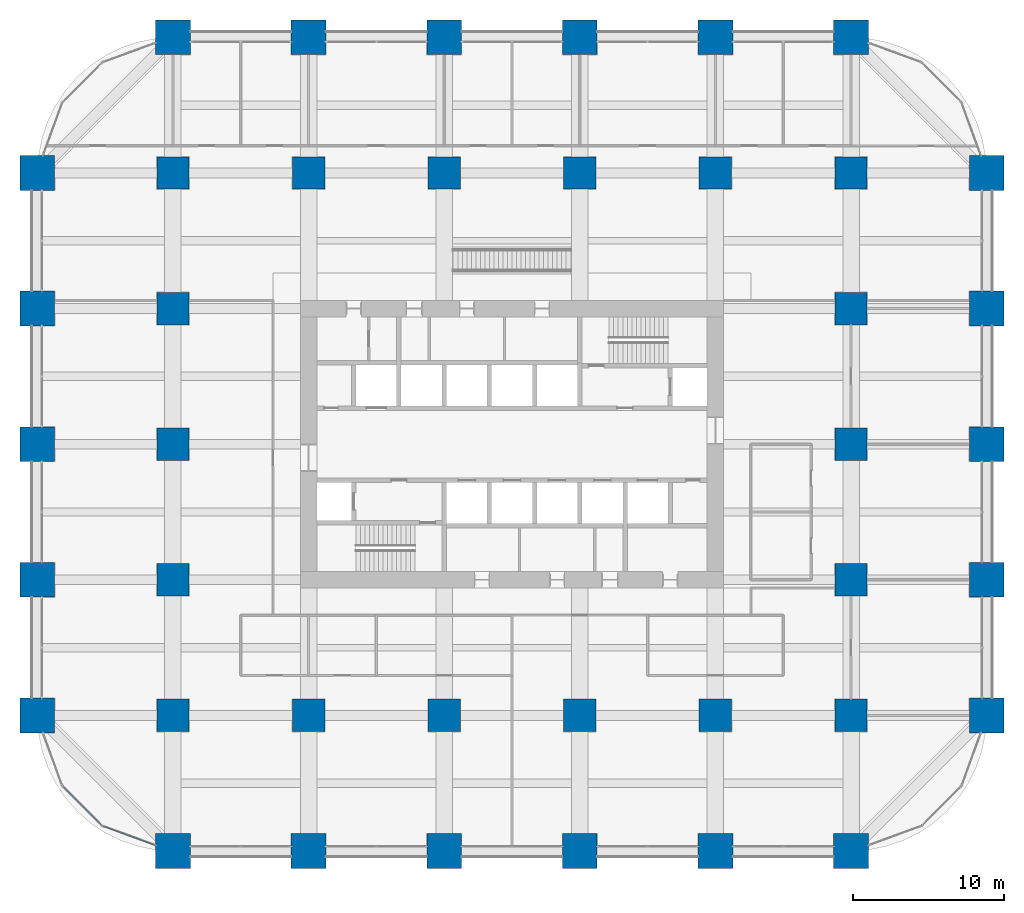
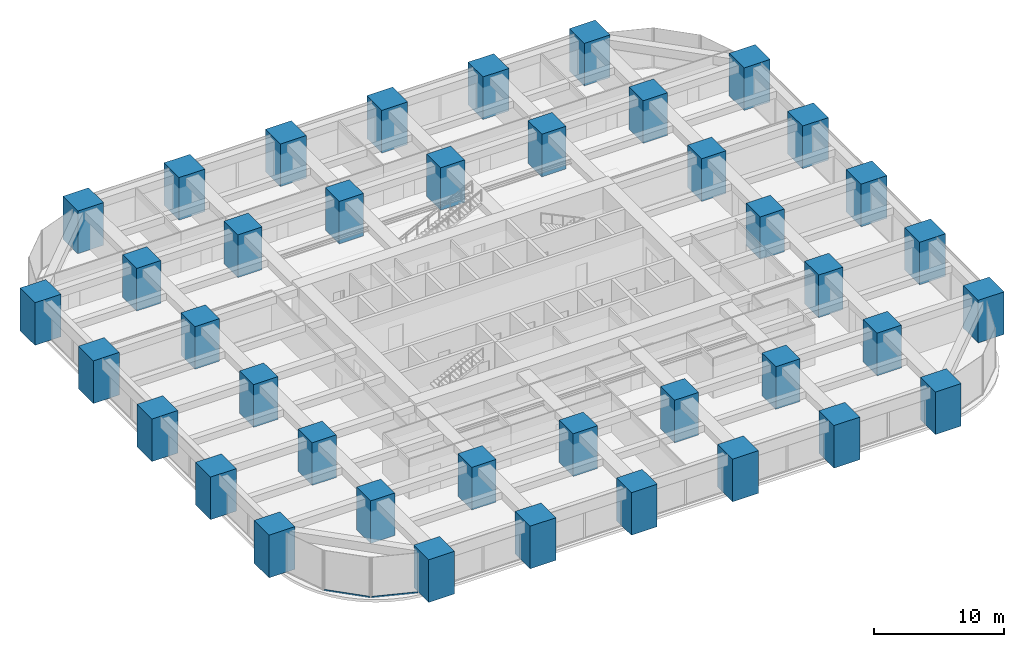
# One storey, part 1 of 44: 40 columns, 2 members, 2 elements without a shape of their own.
"""IFC4 building model written with IfcOpenShell, lengths in metres."""

from ifc_helpers import new_model, si_unit, direction, frame, origin, origin_2d, place, context, subcontext, project, spatial, rectangle, hollow_rectangle, extrude, material, material_profile, profile_set, type_object, element, aggregate, save


model = new_model("IFC4")

# Units and contexts
model_context = context("Model", 3, precision=1e-05, world=origin(), true_north=direction((0.0, 1.0)))
body_context = subcontext(model_context, "Body", "Model", "MODEL_VIEW")
ifc_project = project(units=[si_unit("LENGTHUNIT", "METRE"), si_unit("AREAUNIT", "SQUARE_METRE"), si_unit("VOLUMEUNIT", "CUBIC_METRE"), si_unit("PLANEANGLEUNIT", "RADIAN"), si_unit("MASSUNIT", "GRAM", prefix="KILO")], contexts=[model_context])

# Site, building, storey
site_placement = place(None, origin())
site = spatial("IfcSite", under=ifc_project, at=site_placement, CompositionType="ELEMENT")
building_placement = place(site_placement, origin())
building = spatial("IfcBuilding", under=site, at=building_placement, Name="Zorevar Civic Tower", CompositionType="ELEMENT")
storey_placement = place(building_placement, frame((0.0, 0.0, 59.800048828125)))
storey = spatial("IfcBuildingStorey", under=building, at=storey_placement, Name="L14", CompositionType="ELEMENT", Elevation=59.800048828125)

# Columns
ifc_material_1 = material(Name="Concrete C50/60", Category="concrete")
ifc_material_profile_1 = material_profile(ifc_material_1, rectangle(XDim=2.14990234375, YDim=2.14990234375, at=origin_2d()), Name="RC 2150x2150")
ifc_profile_set_1 = profile_set([ifc_material_profile_1], Name="Concrete C50/60")
column_type_1 = type_object("IfcColumnType", Name="Column RC 2150x2150", PredefinedType="COLUMN", material=ifc_profile_set_1)
for number, where, z_axis, x_axis, name in (
    (1, (9.0, 9.0, 0.0), (0.0, 0.0, 1.0), (1.0, 0.0, 0.0), "Column 3B L14"),
    (2, (9.0, 18.0, 0.0), (0.0, 0.0, 1.0), (1.0, 0.0, 0.0), "Column 3C L14"),
    (3, (9.0, 27.0, 0.0), (0.0, 0.0, 1.0), (1.0, 0.0, 0.0), "Column 3D L14"),
    (4, (9.0, 36.0, 0.0), (0.0, 0.0, 1.0), (1.0, 0.0, 0.0), "Column 3E L14"),
    (5, (9.0, 45.0, 0.0), (0.0, 0.0, 1.0), (1.0, 0.0, 0.0), "Column 3F L14"),
    (6, (18.0, 9.0, 0.0), (0.0, 0.0, 1.0), (1.0, 0.0, 0.0), "Column 4B L14"),
    (7, (18.0, 45.0, 0.0), (0.0, 0.0, 1.0), (1.0, 0.0, 0.0), "Column 4F L14"),
    (8, (27.0, 9.0, 0.0), (0.0, 0.0, 1.0), (1.0, 0.0, 0.0), "Column 5B L14"),
    (9, (27.0, 45.0, 0.0), (0.0, 0.0, 1.0), (1.0, 0.0, 0.0), "Column 5F L14"),
    (10, (36.0, 9.0, 0.0), (0.0, 0.0, 1.0), (1.0, 0.0, 0.0), "Column 6B L14"),
    (11, (36.0, 45.0, 0.0), (0.0, 0.0, 1.0), (1.0, 0.0, 0.0), "Column 6F L14"),
    (12, (45.0, 9.0, 0.0), (0.0, 0.0, 1.0), (1.0, 0.0, 0.0), "Column 7B L14"),
    (13, (45.0, 45.0, 0.0), (0.0, 0.0, 1.0), (1.0, 0.0, 0.0), "Column 7F L14"),
    (14, (54.0, 9.0, 0.0), (0.0, 0.0, 1.0), (1.0, 0.0, 0.0), "Column 8B L14"),
    (15, (54.0, 18.0, 0.0), (0.0, 0.0, 1.0), (1.0, 0.0, 0.0), "Column 8C L14"),
    (16, (54.0, 27.0, 0.0), (0.0, 0.0, 1.0), (1.0, 0.0, 0.0), "Column 8D L14"),
    (17, (54.0, 36.0, 0.0), (0.0, 0.0, 1.0), (1.0, 0.0, 0.0), "Column 8E L14"),
    (18, (54.0, 45.0, 0.0), (0.0, 0.0, 1.0), (1.0, 0.0, 0.0), "Column 8F L14"),
):
    element("IfcColumn", number, at=place(storey_placement, frame(where, z_axis=z_axis, x_axis=x_axis)), inside=storey, type_object=column_type_1, Name=name, PredefinedType="COLUMN", context=body_context, shape_type="SweptSolid", body=[
        extrude(rectangle(XDim=2.14990234375, YDim=2.14990234375, at=origin_2d()), origin(), (0.0, 0.0, 1.0), 4.0),
    ])
ifc_material_2 = material(Name="Concrete C50/60", Category="concrete")
ifc_material_profile_2 = material_profile(ifc_material_2, rectangle(XDim=2.300048828125, YDim=2.300048828125, at=origin_2d()), Name="RC 2300x2300")
ifc_profile_set_2 = profile_set([ifc_material_profile_2], Name="Concrete C50/60")
column_type_2 = type_object("IfcColumnType", Name="Column RC 2300x2300", PredefinedType="COLUMN", material=ifc_profile_set_2)
for number, where, z_axis, x_axis, name in (
    (19, (0.0, 9.0, 0.0), (0.0, 0.0, 1.0), (1.0, 0.0, 0.0), "Column 2B L14"),
    (20, (0.0, 18.0, 0.0), (0.0, 0.0, 1.0), (1.0, 0.0, 0.0), "Column 2C L14"),
    (21, (0.0, 27.0, 0.0), (0.0, 0.0, 1.0), (1.0, 0.0, 0.0), "Column 2D L14"),
    (22, (0.0, 36.0, 0.0), (0.0, 0.0, 1.0), (1.0, 0.0, 0.0), "Column 2E L14"),
    (23, (0.0, 45.0, 0.0), (0.0, 0.0, 1.0), (1.0, 0.0, 0.0), "Column 2F L14"),
    (24, (9.0, 0.0, 0.0), (0.0, 0.0, 1.0), (1.0, 0.0, 0.0), "Column 3A L14"),
    (25, (9.0, 54.0, 0.0), (0.0, 0.0, 1.0), (1.0, 0.0, 0.0), "Column 3G L14"),
    (26, (18.0, 0.0, 0.0), (0.0, 0.0, 1.0), (1.0, 0.0, 0.0), "Column 4A L14"),
    (27, (18.0, 54.0, 0.0), (0.0, 0.0, 1.0), (1.0, 0.0, 0.0), "Column 4G L14"),
    (28, (27.0, 0.0, 0.0), (0.0, 0.0, 1.0), (1.0, 0.0, 0.0), "Column 5A L14"),
    (29, (27.0, 54.0, 0.0), (0.0, 0.0, 1.0), (1.0, 0.0, 0.0), "Column 5G L14"),
    (30, (36.0, 0.0, 0.0), (0.0, 0.0, 1.0), (1.0, 0.0, 0.0), "Column 6A L14"),
    (31, (36.0, 54.0, 0.0), (0.0, 0.0, 1.0), (1.0, 0.0, 0.0), "Column 6G L14"),
    (32, (45.0, 0.0, 0.0), (0.0, 0.0, 1.0), (1.0, 0.0, 0.0), "Column 7A L14"),
    (33, (45.0, 54.0, 0.0), (0.0, 0.0, 1.0), (1.0, 0.0, 0.0), "Column 7G L14"),
    (34, (54.0, 0.0, 0.0), (0.0, 0.0, 1.0), (1.0, 0.0, 0.0), "Column 8A L14"),
    (35, (54.0, 54.0, 0.0), (0.0, 0.0, 1.0), (1.0, 0.0, 0.0), "Column 8G L14"),
    (36, (63.0, 9.0, 0.0), (0.0, 0.0, 1.0), (1.0, 0.0, 0.0), "Column 9B L14"),
    (37, (63.0, 18.0, 0.0), (0.0, 0.0, 1.0), (1.0, 0.0, 0.0), "Column 9C L14"),
    (38, (63.0, 27.0, 0.0), (0.0, 0.0, 1.0), (1.0, 0.0, 0.0), "Column 9D L14"),
    (39, (63.0, 36.0, 0.0), (0.0, 0.0, 1.0), (1.0, 0.0, 0.0), "Column 9E L14"),
    (40, (63.0, 45.0, 0.0), (0.0, 0.0, 1.0), (1.0, 0.0, 0.0), "Column 9F L14"),
):
    element("IfcColumn", number, at=place(storey_placement, frame(where, z_axis=z_axis, x_axis=x_axis)), inside=storey, type_object=column_type_2, Name=name, PredefinedType="COLUMN", context=body_context, shape_type="SweptSolid", body=[
        extrude(rectangle(XDim=2.300048828125, YDim=2.300048828125, at=origin_2d()), origin(), (0.0, 0.0, 1.0), 4.0),
    ])

# Curtain wall, member
ifc_material_3 = material(Name="Dark grey solar-control glass in black aluminium frame", Category="aluminium")
curtain_wall_type = type_object("IfcCurtainWallType", Name="Curtain wall CW2 low zone", PredefinedType="NOTDEFINED", material=ifc_material_3)
curtain_wall_1_placement = place(storey_placement, origin())
curtain_wall_1 = element("IfcCurtainWall", 41, at=curtain_wall_1_placement, inside=storey, type_object=curtain_wall_type, Name="CW2 L14", PredefinedType="NOTDEFINED")
ifc_material_4 = material(Name="Aluminium, black anodised", Category="aluminium")
ifc_material_profile_3 = material_profile(ifc_material_4, hollow_rectangle(XDim=0.06005859375, YDim=0.14990234375, WallThickness=0.00390625, at=origin_2d()), Name="AL 150x60x4")
ifc_profile_set_3 = profile_set([ifc_material_profile_3], Name="Aluminium, black anodised")
member_type = type_object("IfcMemberType", Name="CW2 transom AL 150x60x4", PredefinedType="USERDEFINED", material=ifc_profile_set_3)
member_1_placement = place(storey_placement, frame((1.70751953125, 4.279052734375, 0.030029296875), z_axis=(0.707106781187, -0.707106781187, 0.0), x_axis=(0.707106781187, 0.707106781187, 0.0)))
member_1 = element("IfcMember", 42, at=member_1_placement, type_object=member_type, Name="CW2 sill transom", ObjectType="TRANSOM", PredefinedType="USERDEFINED", context=body_context, shape_type="SweptSolid", body=[
    extrude(hollow_rectangle(XDim=0.06005859375, YDim=0.14990234375, WallThickness=0.00390625, at=origin_2d()), origin(), (0.0, 0.0, 1.0), 3.63671875),
])
aggregate(curtain_wall_1, [member_1])

curtain_wall_2_placement = place(storey_placement, origin())
curtain_wall_2 = element("IfcCurtainWall", 43, at=curtain_wall_2_placement, inside=storey, type_object=curtain_wall_type, Name="CW2 L14", PredefinedType="NOTDEFINED")
member_2_placement = place(storey_placement, frame((4.377685546875, 1.64453125, 0.030029296875), z_axis=(0.939318180432, -0.343047162808, 0.0), x_axis=(0.343047162808, 0.939318180432, 0.0)))
member_2 = element("IfcMember", 44, at=member_2_placement, type_object=member_type, Name="CW2 sill transom", ObjectType="TRANSOM", PredefinedType="USERDEFINED", context=body_context, shape_type="SweptSolid", body=[
    extrude(hollow_rectangle(XDim=0.06005859375, YDim=0.14990234375, WallThickness=0.00390625, at=origin_2d()), origin(), (0.0, 0.0, 1.0), 3.63671875),
])
aggregate(curtain_wall_2, [member_2])

save(model, "model.ifc")
